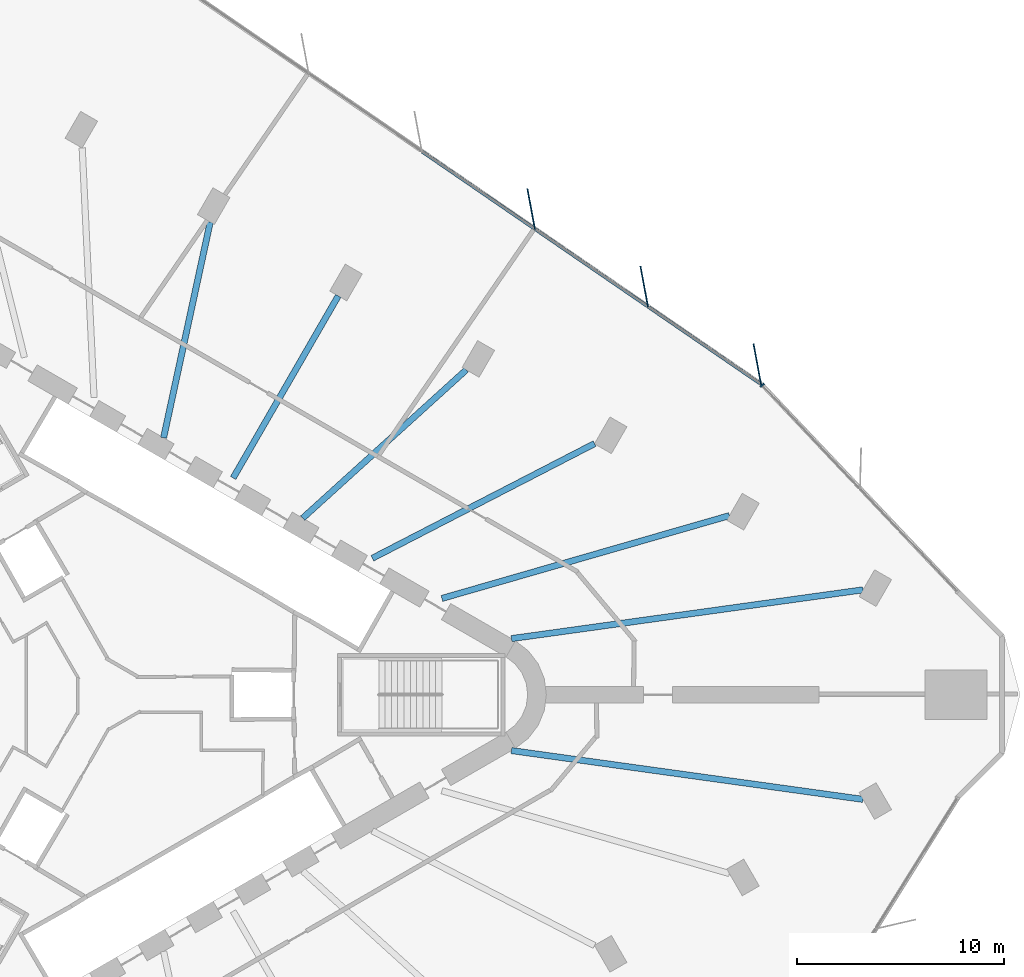
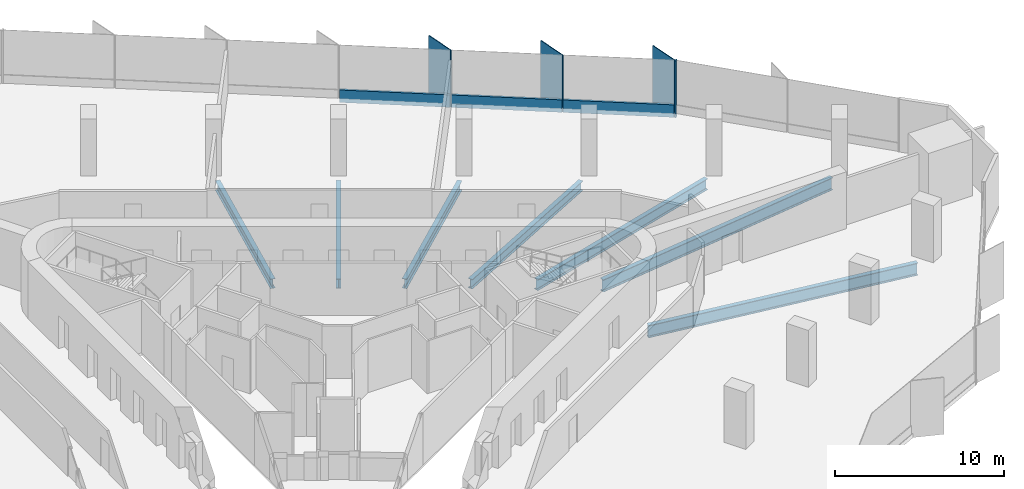
# One storey, part 5 of 15: 7 beams, 7 members, 2 elements without a shape of their own.
"""IFC4 building model written with IfcOpenShell, lengths in metres."""

from ifc_helpers import new_model, si_unit, direction, frame, origin, origin_2d, place, context, subcontext, project, spatial, rectangle, i_section, extrude, material, material_profile, profile_set, type_object, element, aggregate, save


model = new_model("IFC4")

# Units and contexts
model_context = context("Model", 3, precision=1e-05, world=origin(), true_north=direction((0.0, 1.0)))
body_context = subcontext(model_context, "Body", "Model", "MODEL_VIEW")
ifc_project = project(units=[si_unit("LENGTHUNIT", "METRE"), si_unit("AREAUNIT", "SQUARE_METRE"), si_unit("VOLUMEUNIT", "CUBIC_METRE"), si_unit("PLANEANGLEUNIT", "RADIAN"), si_unit("MASSUNIT", "GRAM", prefix="KILO")], contexts=[model_context])

# Site, building, storey
site_placement = place(None, origin())
site = spatial("IfcSite", under=ifc_project, at=site_placement, CompositionType="ELEMENT")
building_placement = place(site_placement, origin())
building = spatial("IfcBuilding", under=site, at=building_placement, Name="Tanit Gate Tower", CompositionType="ELEMENT")
storey_placement = place(building_placement, frame((0.0, 0.0, 102.89990234375)))
storey = spatial("IfcBuildingStorey", under=building, at=storey_placement, Name="L21", CompositionType="ELEMENT", Elevation=102.89990234375)

# Curtain wall, members
ifc_material_1 = material(Name="Aluminium bronze anodised and glass", Category="aluminium")
curtain_wall_type = type_object("IfcCurtainWallType", Name="Curtain wall typical low", PredefinedType="NOTDEFINED", material=ifc_material_1)
curtain_wall_1_placement = place(storey_placement, origin())
curtain_wall_1 = element("IfcCurtainWall", 1, at=curtain_wall_1_placement, inside=storey, type_object=curtain_wall_type, Name="Curtain wall L21 NE2", PredefinedType="NOTDEFINED")
ifc_material_2 = material(Name="Aluminium bronze anodised", Category="aluminium")
ifc_material_profile_1 = material_profile(ifc_material_2, rectangle(XDim=2.0, YDim=0.055908203125, at=origin_2d()), Name="56x2000 bronze fin mullion")
ifc_profile_set_1 = profile_set([ifc_material_profile_1], Name="Aluminium bronze anodised")
member_type_1 = type_object("IfcMemberType", Name="FIN MULLION 56x2000 bronze", PredefinedType="MULLION", material=ifc_profile_set_1)
member_1_placement = place(storey_placement, frame((31.404296875, 15.97998046875, -0.2998046875), z_axis=(0.0, 0.0, 1.0), x_axis=(0.182847499991, -0.983141287785, 0.0)))
member_1 = element("IfcMember", 2, at=member_1_placement, type_object=member_type_1, Name="Fin mullion L21 NE2.1", PredefinedType="MULLION", context=body_context, shape_type="SweptSolid", body=[
    extrude(rectangle(XDim=2.0, YDim=0.055908203125, at=origin_2d()), origin(), (0.0, 0.0, 1.0), 4.099853515625),
])
member_2_placement = place(storey_placement, frame((25.93505859375, 19.73388671875, -0.2998046875), z_axis=(0.0, 0.0, 1.0), x_axis=(0.182847499991, -0.983141287785, 0.0)))
member_2 = element("IfcMember", 3, at=member_2_placement, type_object=member_type_1, Name="Fin mullion L21 NE2.2", PredefinedType="MULLION", context=body_context, shape_type="SweptSolid", body=[
    extrude(rectangle(XDim=2.0, YDim=0.055908203125, at=origin_2d()), origin(), (0.0, 0.0, 1.0), 4.099853515625),
])
member_3_placement = place(storey_placement, frame((20.4658203125, 23.48779296875, -0.2998046875), z_axis=(0.0, 0.0, 1.0), x_axis=(0.182847499991, -0.983141287785, 0.0)))
member_3 = element("IfcMember", 4, at=member_3_placement, type_object=member_type_1, Name="Fin mullion L21 NE2.3", PredefinedType="MULLION", context=body_context, shape_type="SweptSolid", body=[
    extrude(rectangle(XDim=2.0, YDim=0.055908203125, at=origin_2d()), origin(), (0.0, 0.0, 1.0), 4.099853515625),
])

# Curtain wall, member
curtain_wall_2_placement = place(storey_placement, origin())
curtain_wall_2 = element("IfcCurtainWall", 5, at=curtain_wall_2_placement, inside=storey, type_object=curtain_wall_type, Name="Curtain wall L21 NE1", PredefinedType="NOTDEFINED")
ifc_material_3 = material(Name="Aluminium bronze anodised", Category="aluminium")
ifc_material_profile_2 = material_profile(ifc_material_3, rectangle(XDim=0.239990234375, YDim=0.080078125, at=origin_2d()), Name="80x240 bronze mullion")
ifc_profile_set_2 = profile_set([ifc_material_profile_2], Name="Aluminium bronze anodised")
member_type_2 = type_object("IfcMemberType", Name="Mullion 80x240 typical low", PredefinedType="MULLION", material=ifc_profile_set_2)
member_4_placement = place(storey_placement, frame((31.6435546875, 14.96728515625, -0.2998046875), z_axis=(0.0, 0.0, 1.0), x_axis=(-0.726107422855, -0.687581275541, 0.0)))
member_4 = element("IfcMember", 6, at=member_4_placement, type_object=member_type_2, Name="Mullion L21 NE1.3", PredefinedType="MULLION", context=body_context, shape_type="SweptSolid", body=[
    extrude(rectangle(XDim=0.239990234375, YDim=0.080078125, at=origin_2d()), origin(), (0.0, 0.0, 1.0), 4.099853515625),
])
aggregate(curtain_wall_2, [member_4])

# Beams
ifc_material_4 = material(Name="Steel S355", Category="steel")
ifc_material_profile_3 = material_profile(ifc_material_4, i_section(OverallWidth=0.300048828125, OverallDepth=0.68994140625, WebThickness=0.014404296875, FlangeThickness=0.027099609375, FilletRadius=0.027099609375, at=origin_2d()), Name="HEA 700")
ifc_profile_set_3 = profile_set([ifc_material_profile_3], Name="Steel S355")
beam_type_1 = type_object("IfcBeamType", Name="RADIAL GIRDER HEA 700 S355", PredefinedType="BEAM", material=ifc_profile_set_3)
beam_1_placement = place(storey_placement, frame((23.530029296875, 12.1396484375, -0.64501953125), z_axis=(-0.888695221305, -0.458498422713, 0.0), x_axis=(0.458498422713, -0.888695221305, 0.0)))
element("IfcBeam", 7, at=beam_1_placement, inside=storey, type_object=beam_type_1, Name="RADIAL GIRDER", PredefinedType="BEAM", context=body_context, shape_type="SweptSolid", body=[
    extrude(i_section(OverallWidth=0.300048828125, OverallDepth=0.68994140625, WebThickness=0.014404296875, FlangeThickness=0.027099609375, FilletRadius=0.027099609375, at=origin_2d()), origin(), (0.0, 0.0, 1.0), 12.09423828125),
])
beam_2_placement = place(storey_placement, frame((17.326416015625, 15.709228515625, -0.64501953125), z_axis=(-0.740834398556, -0.671687720534, 0.0), x_axis=(0.671687720534, -0.740834398556, 0.0)))
element("IfcBeam", 8, at=beam_2_placement, inside=storey, type_object=beam_type_1, Name="RADIAL GIRDER", PredefinedType="BEAM", context=body_context, shape_type="SweptSolid", body=[
    extrude(i_section(OverallWidth=0.300048828125, OverallDepth=0.68994140625, WebThickness=0.014404296875, FlangeThickness=0.027099609375, FilletRadius=0.027099609375, at=origin_2d()), origin(), (0.0, 0.0, 1.0), 10.677001953125),
])
beam_3_placement = place(storey_placement, frame((11.134033203125, 19.28466796875, -0.64501953125), z_axis=(-0.500003096968, -0.866023615742, 0.0), x_axis=(0.866023615742, -0.500003096968, 0.0)))
element("IfcBeam", 9, at=beam_3_placement, inside=storey, type_object=beam_type_1, Name="RADIAL GIRDER", PredefinedType="BEAM", context=body_context, shape_type="SweptSolid", body=[
    extrude(i_section(OverallWidth=0.300048828125, OverallDepth=0.68994140625, WebThickness=0.014404296875, FlangeThickness=0.027099609375, FilletRadius=0.027099609375, at=origin_2d()), origin(), (0.0, 0.0, 1.0), 10.166015625),
])
beam_4_placement = place(storey_placement, frame((4.94140625, 22.85986328125, -0.64501953125), z_axis=(-0.211276115388, -0.977426418236, 0.0), x_axis=(0.977426418236, -0.211276115388, 0.0)))
element("IfcBeam", 10, at=beam_4_placement, inside=storey, type_object=beam_type_1, Name="RADIAL GIRDER", PredefinedType="BEAM", context=body_context, shape_type="SweptSolid", body=[
    extrude(i_section(OverallWidth=0.300048828125, OverallDepth=0.68994140625, WebThickness=0.014404296875, FlangeThickness=0.027099609375, FilletRadius=0.027099609375, at=origin_2d()), origin(), (0.0, 0.0, 1.0), 10.67724609375),
])
ifc_material_5 = material(Name="Steel S355", Category="steel")
ifc_material_profile_4 = material_profile(ifc_material_5, i_section(OverallWidth=0.300048828125, OverallDepth=0.7900390625, WebThickness=0.014892578125, FlangeThickness=0.028076171875, FilletRadius=0.030029296875, at=origin_2d()), Name="HEA 800")
ifc_profile_set_4 = profile_set([ifc_material_profile_4], Name="Steel S355")
beam_type_2 = type_object("IfcBeamType", Name="RADIAL GIRDER HEA 800 S355", PredefinedType="BEAM", material=ifc_profile_set_4)
beam_5_placement = place(storey_placement, frame((30.0546875, 8.657470703125, -0.69482421875), z_axis=(-0.960925208755, -0.276808134236, 0.0), x_axis=(0.276808134236, -0.960925208755, 0.0)))
element("IfcBeam", 11, at=beam_5_placement, inside=storey, type_object=beam_type_2, Name="RADIAL GIRDER", PredefinedType="BEAM", context=body_context, shape_type="SweptSolid", body=[
    extrude(i_section(OverallWidth=0.300048828125, OverallDepth=0.7900390625, WebThickness=0.014892578125, FlangeThickness=0.028076171875, FilletRadius=0.030029296875, at=origin_2d()), origin(), (0.0, 0.0, 1.0), 14.472412109375),
])
ifc_material_6 = material(Name="Steel S355", Category="steel")
ifc_material_profile_5 = material_profile(ifc_material_6, i_section(OverallWidth=0.300048828125, OverallDepth=0.889892578125, WebThickness=0.01611328125, FlangeThickness=0.030029296875, FilletRadius=0.030029296875, at=origin_2d()), Name="HEA 900")
ifc_profile_set_5 = profile_set([ifc_material_profile_5], Name="Steel S355")
beam_type_3 = type_object("IfcBeamType", Name="RADIAL GIRDER HEA 900 S355", PredefinedType="BEAM", material=ifc_profile_set_5)
for number, where, z_axis, x_axis, name in (
    (12, (36.517333984375, -5.068359375, -0.744873046875), (-0.990504811004, 0.137478068716, 0.0), (-0.137478068716, -0.990504811004, 0.0), "RADIAL GIRDER"),
    (13, (36.517333984375, 5.068359375, -0.744873046875), (-0.990504811004, -0.137478068716, 0.0), (0.137478068716, -0.990504811004, 0.0), "RADIAL GIRDER"),
):
    element("IfcBeam", number, at=place(storey_placement, frame(where, z_axis=z_axis, x_axis=x_axis)), inside=storey, type_object=beam_type_3, Name=name, PredefinedType="BEAM", context=body_context, shape_type="SweptSolid", body=[
        extrude(i_section(OverallWidth=0.300048828125, OverallDepth=0.889892578125, WebThickness=0.01611328125, FlangeThickness=0.030029296875, FilletRadius=0.030029296875, at=origin_2d()), origin(), (0.0, 0.0, 1.0), 17.167236328125),
    ])

# Member
ifc_material_7 = material(Name="Aluminium bronze anodised", Category="aluminium")
ifc_material_profile_6 = material_profile(ifc_material_7, rectangle(XDim=0.159912109375, YDim=0.89990234375, at=origin_2d()), Name="160x900 bronze transom")
ifc_profile_set_6 = profile_set([ifc_material_profile_6], Name="Aluminium bronze anodised")
member_type_3 = type_object("IfcMemberType", Name="Transom 160x900 typical low", PredefinedType="USERDEFINED", material=ifc_profile_set_6)
member_5_placement = place(storey_placement, frame((31.550048828125, 15.04150390625, 0.150146484375), z_axis=(-0.824472115667, 0.565902580386, 0.0), x_axis=(-0.565902580386, -0.824472115667, 0.0)))
member_5 = element("IfcMember", 14, at=member_5_placement, type_object=member_type_3, Name="Transom L21 NE2.1", ObjectType="TRANSOM", PredefinedType="USERDEFINED", context=body_context, shape_type="SweptSolid", body=[
    extrude(rectangle(XDim=0.159912109375, YDim=0.89990234375, at=origin_2d()), origin(), (0.0, 0.0, 1.0), 6.5537109375),
])

member_6_placement = place(storey_placement, frame((26.080810546875, 18.79541015625, 0.150146484375), z_axis=(-0.824472115667, 0.565902580386, 0.0), x_axis=(-0.565902580386, -0.824472115667, 0.0)))
member_6 = element("IfcMember", 15, at=member_6_placement, type_object=member_type_3, Name="Transom L21 NE2.2", ObjectType="TRANSOM", PredefinedType="USERDEFINED", context=body_context, shape_type="SweptSolid", body=[
    extrude(rectangle(XDim=0.159912109375, YDim=0.89990234375, at=origin_2d()), origin(), (0.0, 0.0, 1.0), 6.5537109375),
])

member_7_placement = place(storey_placement, frame((20.611572265625, 22.549560546875, 0.150146484375), z_axis=(-0.824489496573, 0.565877257046, 0.0), x_axis=(-0.565877257046, -0.824489496573, 0.0)))
member_7 = element("IfcMember", 16, at=member_7_placement, type_object=member_type_3, Name="Transom L21 NE2.3", ObjectType="TRANSOM", PredefinedType="USERDEFINED", context=body_context, shape_type="SweptSolid", body=[
    extrude(rectangle(XDim=0.159912109375, YDim=0.89990234375, at=origin_2d()), origin(), (0.0, 0.0, 1.0), 6.553466796875),
])

aggregate(curtain_wall_1, [member_1, member_2, member_3, member_5, member_6, member_7])

save(model, "model.ifc")
